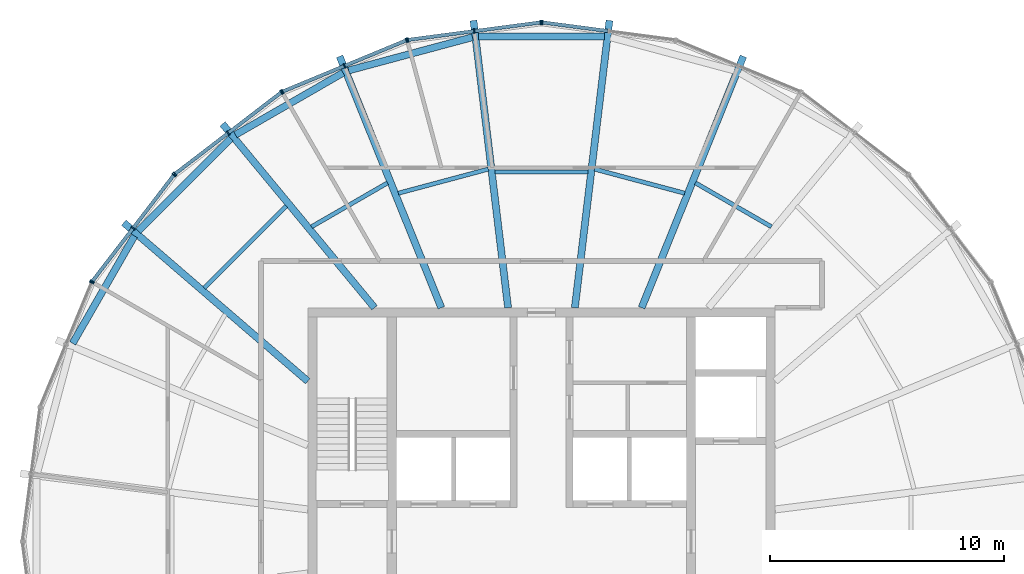
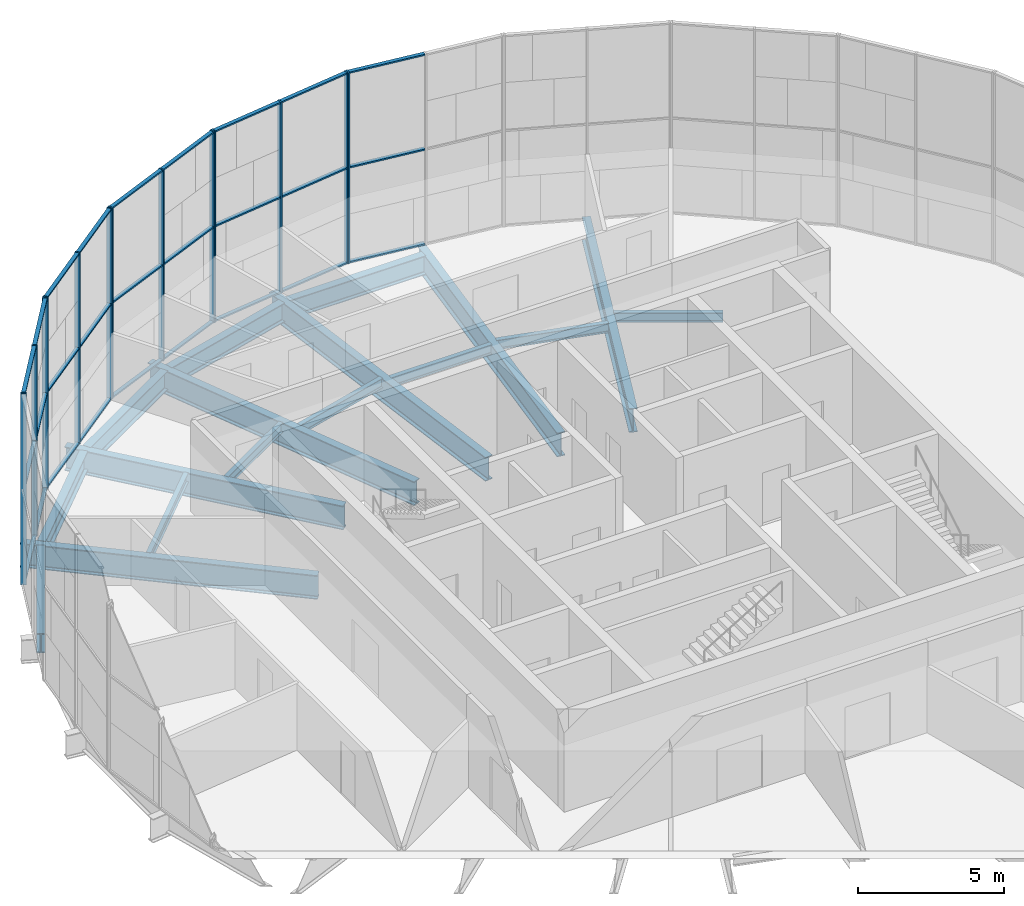
# One storey, part 6 of 19: 41 members, 17 beams, 6 elements without a shape of their own.
"""IFC4 building model written with IfcOpenShell, lengths in metres."""

from ifc_helpers import new_model, si_unit, direction, frame, origin, origin_2d, place, context, subcontext, project, spatial, rectangle, i_section, extrude, material, material_profile, profile_set, type_object, element, aggregate, save


model = new_model("IFC4")

# Units and contexts
model_context = context("Model", 3, precision=1e-05, world=origin(), true_north=direction((0.0, 1.0)))
body_context = subcontext(model_context, "Body", "Model", "MODEL_VIEW")
ifc_project = project(units=[si_unit("LENGTHUNIT", "METRE"), si_unit("AREAUNIT", "SQUARE_METRE"), si_unit("VOLUMEUNIT", "CUBIC_METRE"), si_unit("PLANEANGLEUNIT", "RADIAN"), si_unit("MASSUNIT", "GRAM", prefix="KILO")], contexts=[model_context])

# Site, building, storey
site_placement = place(None, origin())
site = spatial("IfcSite", under=ifc_project, at=site_placement, CompositionType="ELEMENT")
building_placement = place(site_placement, origin())
building = spatial("IfcBuilding", under=site, at=building_placement, Name="Golbaran Civic Tower", CompositionType="ELEMENT")
storey_placement = place(building_placement, frame((0.0, 0.0, 256.0)))
storey = spatial("IfcBuildingStorey", under=building, at=storey_placement, Name="L62", CompositionType="ELEMENT", Elevation=256.0)

# Beams
ifc_material_1 = material(Name="Steel S355", Category="steel")
ifc_material_profile_1 = material_profile(ifc_material_1, i_section(OverallWidth=0.300048828125, OverallDepth=0.800048828125, WebThickness=0.017578125, FlangeThickness=0.032958984375, FilletRadius=0.030029296875, at=origin_2d()), Name="HEB 800")
ifc_profile_set_1 = profile_set([ifc_material_profile_1], Name="Steel S355")
beam_type_1 = type_object("IfcBeamType", Name="EDGE BEAM HEB 800", PredefinedType="BEAM", material=ifc_profile_set_1)
beam_1_placement = place(storey_placement, frame((2.6953125, 21.60888671875, -0.60009765625), z_axis=(-1.0, 0.0, 0.0), x_axis=(0.0, -1.0, 0.0)))
element("IfcBeam", 1, at=beam_1_placement, inside=storey, type_object=beam_type_1, Name="Edge beam 82.58 L62", PredefinedType="BEAM", context=body_context, shape_type="SweptSolid", body=[
    extrude(i_section(OverallWidth=0.300048828125, OverallDepth=0.800048828125, WebThickness=0.017578125, FlangeThickness=0.032958984375, FilletRadius=0.030029296875, at=origin_2d()), origin(), (0.0, 0.0, 1.0), 5.390625),
])
beam_2_placement = place(storey_placement, frame((-2.953125, 21.574951171875, -0.60009765625), z_axis=(-0.965784409485, -0.259346244228, 0.0), x_axis=(0.259346244228, -0.965784409485, 0.0)))
element("IfcBeam", 2, at=beam_2_placement, inside=storey, type_object=beam_type_1, Name="Edge beam 97.42 L62", PredefinedType="BEAM", context=body_context, shape_type="SweptSolid", body=[
    extrude(i_section(OverallWidth=0.300048828125, OverallDepth=0.800048828125, WebThickness=0.017578125, FlangeThickness=0.032958984375, FilletRadius=0.030029296875, at=origin_2d()), origin(), (0.0, 0.0, 1.0), 5.486328125),
])
beam_3_placement = place(storey_placement, frame((-8.491943359375, 20.052490234375, -0.60009765625), z_axis=(-0.866418166458, -0.499319097203, 0.0), x_axis=(0.499319097203, -0.866418166458, 0.0)))
element("IfcBeam", 3, at=beam_3_placement, inside=storey, type_object=beam_type_1, Name="Edge beam 112.58 L62", PredefinedType="BEAM", context=body_context, shape_type="SweptSolid", body=[
    extrude(i_section(OverallWidth=0.300048828125, OverallDepth=0.800048828125, WebThickness=0.017578125, FlangeThickness=0.032958984375, FilletRadius=0.030029296875, at=origin_2d()), origin(), (0.0, 0.0, 1.0), 5.310546875),
])
beam_4_placement = place(storey_placement, frame((-13.299560546875, 17.24267578125, -0.60009765625), z_axis=(-0.706714343881, -0.707499000814, 0.0), x_axis=(0.707499000814, -0.706714343881, 0.0)))
element("IfcBeam", 4, at=beam_4_placement, inside=storey, type_object=beam_type_1, Name="Edge beam 127.42 L62", PredefinedType="BEAM", context=body_context, shape_type="SweptSolid", body=[
    extrude(i_section(OverallWidth=0.300048828125, OverallDepth=0.800048828125, WebThickness=0.017578125, FlangeThickness=0.032958984375, FilletRadius=0.030029296875, at=origin_2d()), origin(), (0.0, 0.0, 1.0), 5.6005859375),
])
beam_5_placement = place(storey_placement, frame((-17.41552734375, 13.0732421875, -0.60009765625), z_axis=(-0.498581864812, -0.866842617827, 0.0), x_axis=(0.866842617827, -0.498581864812, 0.0)))
element("IfcBeam", 5, at=beam_5_placement, inside=storey, type_object=beam_type_1, Name="Edge beam 142.58 L62", PredefinedType="BEAM", context=body_context, shape_type="SweptSolid", body=[
    extrude(i_section(OverallWidth=0.300048828125, OverallDepth=0.800048828125, WebThickness=0.017578125, FlangeThickness=0.032958984375, FilletRadius=0.030029296875, at=origin_2d()), origin(), (0.0, 0.0, 1.0), 5.3017578125),
])
ifc_material_profile_2 = material_profile(ifc_material_1, i_section(OverallWidth=0.179931640625, OverallDepth=0.39990234375, WebThickness=0.008544921875, FlangeThickness=0.013427734375, FilletRadius=0.02099609375, at=origin_2d()), Name="IPE 400")
ifc_profile_set_2 = profile_set([ifc_material_profile_2], Name="Steel S355")
beam_type_2 = type_object("IfcBeamType", Name="FLOOR INFILL BEAM IPE 400", PredefinedType="BEAM", material=ifc_profile_set_2)
beam_6_placement = place(storey_placement, frame((9.8388671875, 13.465087890625, -0.39990234375), z_axis=(-0.86603400694, 0.499985098601, 0.0), x_axis=(-0.499985098601, -0.86603400694, 0.0)))
element("IfcBeam", 6, at=beam_6_placement, inside=storey, type_object=beam_type_2, Name="Infill beam 60.00 L62", PredefinedType="BEAM", context=body_context, shape_type="SweptSolid", body=[
    extrude(i_section(OverallWidth=0.179931640625, OverallDepth=0.39990234375, WebThickness=0.008544921875, FlangeThickness=0.013427734375, FilletRadius=0.02099609375, at=origin_2d()), origin(), (0.0, 0.0, 1.0), 3.7548828125),
])
beam_7_placement = place(storey_placement, frame((6.127197265625, 14.8994140625, -0.39990234375), z_axis=(-0.965915270018, 0.25885843843, 0.0), x_axis=(-0.25885843843, -0.965915270018, 0.0)))
element("IfcBeam", 7, at=beam_7_placement, inside=storey, type_object=beam_type_2, Name="Infill beam 75.00 L62", PredefinedType="BEAM", context=body_context, shape_type="SweptSolid", body=[
    extrude(i_section(OverallWidth=0.179931640625, OverallDepth=0.39990234375, WebThickness=0.008544921875, FlangeThickness=0.013427734375, FilletRadius=0.02099609375, at=origin_2d()), origin(), (0.0, 0.0, 1.0), 3.989501953125),
])
beam_8_placement = place(storey_placement, frame((1.99658203125, 15.804443359375, -0.39990234375), z_axis=(-1.0, 0.0, 0.0), x_axis=(0.0, -1.0, 0.0)))
element("IfcBeam", 8, at=beam_8_placement, inside=storey, type_object=beam_type_2, Name="Infill beam 90.00 L62", PredefinedType="BEAM", context=body_context, shape_type="SweptSolid", body=[
    extrude(i_section(OverallWidth=0.179931640625, OverallDepth=0.39990234375, WebThickness=0.008544921875, FlangeThickness=0.013427734375, FilletRadius=0.02099609375, at=origin_2d()), origin(), (0.0, 0.0, 1.0), 3.9931640625),
])
beam_9_placement = place(storey_placement, frame((-2.273681640625, 15.93212890625, -0.39990234375), z_axis=(-0.965915270018, -0.25885843843, 0.0), x_axis=(0.25885843843, -0.965915270018, 0.0)))
element("IfcBeam", 9, at=beam_9_placement, inside=storey, type_object=beam_type_2, Name="Infill beam 105.00 L62", PredefinedType="BEAM", context=body_context, shape_type="SweptSolid", body=[
    extrude(i_section(OverallWidth=0.179931640625, OverallDepth=0.39990234375, WebThickness=0.008544921875, FlangeThickness=0.013427734375, FilletRadius=0.02099609375, at=origin_2d()), origin(), (0.0, 0.0, 1.0), 3.989501953125),
])
beam_10_placement = place(storey_placement, frame((-6.5869140625, 15.342529296875, -0.39990234375), z_axis=(-0.86603400694, -0.499985098601, 0.0), x_axis=(0.499985098601, -0.86603400694, 0.0)))
element("IfcBeam", 10, at=beam_10_placement, inside=storey, type_object=beam_type_2, Name="Infill beam 120.00 L62", PredefinedType="BEAM", context=body_context, shape_type="SweptSolid", body=[
    extrude(i_section(OverallWidth=0.179931640625, OverallDepth=0.39990234375, WebThickness=0.008544921875, FlangeThickness=0.013427734375, FilletRadius=0.02099609375, at=origin_2d()), origin(), (0.0, 0.0, 1.0), 3.7548828125),
])
beam_11_placement = place(storey_placement, frame((-10.913330078125, 14.356689453125, -0.39990234375), z_axis=(-0.707106781187, -0.707106781187, 0.0), x_axis=(0.707106781187, -0.707106781187, 0.0)))
element("IfcBeam", 11, at=beam_11_placement, inside=storey, type_object=beam_type_2, Name="Infill beam 135.00 L62", PredefinedType="BEAM", context=body_context, shape_type="SweptSolid", body=[
    extrude(i_section(OverallWidth=0.179931640625, OverallDepth=0.39990234375, WebThickness=0.008544921875, FlangeThickness=0.013427734375, FilletRadius=0.02099609375, at=origin_2d()), origin(), (0.0, 0.0, 1.0), 4.9697265625),
])

# Curtain wall, member
ifc_material_2 = material(Name="Aluminium and glass", Category="aluminium")
curtain_wall_type = type_object("IfcCurtainWallType", Name="INNER SKIN CURTAIN WALL EXECUTIVE", PredefinedType="NOTDEFINED", material=ifc_material_2)
curtain_wall_1_placement = place(storey_placement, origin())
curtain_wall_1 = element("IfcCurtainWall", 12, at=curtain_wall_1_placement, inside=storey, type_object=curtain_wall_type, Name="Inner skin L62 facet 6 CW2", ObjectType="INNER SKIN", PredefinedType="USERDEFINED")
ifc_material_3 = material(Name="Aluminium", Category="aluminium")
ifc_material_profile_3 = material_profile(ifc_material_3, rectangle(XDim=0.199951171875, YDim=0.06005859375, at=origin_2d()), Name="INNER SKIN CURTAIN WALL EXECUTIVE MULLION")
ifc_profile_set_3 = profile_set([ifc_material_profile_3], Name="Aluminium")
member_type_1 = type_object("IfcMemberType", Name="INNER SKIN CURTAIN WALL EXECUTIVE MULLION", PredefinedType="MULLION", material=ifc_profile_set_3)
member_1_placement = place(storey_placement, frame((0.02978515625, 22.208984375, 0.0), z_axis=(0.0, 0.0, 1.0), x_axis=(-0.130526192272, -0.991444861367, 0.0)))
member_1 = element("IfcMember", 13, at=member_1_placement, type_object=member_type_1, Name="CW2 mullion 3", PredefinedType="MULLION", context=body_context, shape_type="SweptSolid", body=[
    extrude(rectangle(XDim=0.199951171875, YDim=0.06005859375, at=origin_2d()), origin(), (0.0, 0.0, 1.0), 8.0),
])

# Curtain wall, members
curtain_wall_2_placement = place(storey_placement, origin())
curtain_wall_2 = element("IfcCurtainWall", 14, at=curtain_wall_2_placement, inside=storey, type_object=curtain_wall_type, Name="Inner skin L62 facet 7 CW2", ObjectType="INNER SKIN", PredefinedType="USERDEFINED")
member_2_placement = place(storey_placement, frame((-0.02978515625, 22.208984375, 0.0), z_axis=(0.0, 0.0, 1.0), x_axis=(0.130526192272, -0.991444861367, 0.0)))
member_2 = element("IfcMember", 15, at=member_2_placement, type_object=member_type_1, Name="CW2 mullion 1", PredefinedType="MULLION", context=body_context, shape_type="SweptSolid", body=[
    extrude(rectangle(XDim=0.199951171875, YDim=0.06005859375, at=origin_2d()), origin(), (0.0, 0.0, 1.0), 8.0),
])
member_3_placement = place(storey_placement, frame((-2.87451171875, 21.83447265625, 0.0), z_axis=(0.0, 0.0, 1.0), x_axis=(0.130526192272, -0.991444861367, 0.0)))
member_3 = element("IfcMember", 16, at=member_3_placement, type_object=member_type_1, Name="CW2 mullion 2", PredefinedType="MULLION", context=body_context, shape_type="SweptSolid", body=[
    extrude(rectangle(XDim=0.199951171875, YDim=0.06005859375, at=origin_2d()), origin(), (0.0, 0.0, 1.0), 8.0),
])
member_4_placement = place(storey_placement, frame((-5.719482421875, 21.4599609375, 0.0), z_axis=(0.0, 0.0, 1.0), x_axis=(0.130526192272, -0.991444861367, 0.0)))
member_4 = element("IfcMember", 17, at=member_4_placement, type_object=member_type_1, Name="CW2 mullion 3", PredefinedType="MULLION", context=body_context, shape_type="SweptSolid", body=[
    extrude(rectangle(XDim=0.199951171875, YDim=0.06005859375, at=origin_2d()), origin(), (0.0, 0.0, 1.0), 8.0),
])

curtain_wall_3_placement = place(storey_placement, origin())
curtain_wall_3 = element("IfcCurtainWall", 18, at=curtain_wall_3_placement, inside=storey, type_object=curtain_wall_type, Name="Inner skin L62 facet 8 CW2", ObjectType="INNER SKIN", PredefinedType="USERDEFINED")
member_5_placement = place(storey_placement, frame((-5.77685546875, 21.444580078125, 0.0), z_axis=(0.0, 0.0, 1.0), x_axis=(0.382683432365, -0.923879532511, 0.0)))
member_5 = element("IfcMember", 19, at=member_5_placement, type_object=member_type_1, Name="CW2 mullion 1", PredefinedType="MULLION", context=body_context, shape_type="SweptSolid", body=[
    extrude(rectangle(XDim=0.199951171875, YDim=0.06005859375, at=origin_2d()), origin(), (0.0, 0.0, 1.0), 8.0),
])
member_6_placement = place(storey_placement, frame((-8.427734375, 20.3466796875, 0.0), z_axis=(0.0, 0.0, 1.0), x_axis=(0.382683432365, -0.923879532511, 0.0)))
member_6 = element("IfcMember", 20, at=member_6_placement, type_object=member_type_1, Name="CW2 mullion 2", PredefinedType="MULLION", context=body_context, shape_type="SweptSolid", body=[
    extrude(rectangle(XDim=0.199951171875, YDim=0.06005859375, at=origin_2d()), origin(), (0.0, 0.0, 1.0), 8.0),
])
member_7_placement = place(storey_placement, frame((-11.078857421875, 19.24853515625, 0.0), z_axis=(0.0, 0.0, 1.0), x_axis=(0.382683432365, -0.923879532511, 0.0)))
member_7 = element("IfcMember", 21, at=member_7_placement, type_object=member_type_1, Name="CW2 mullion 3", PredefinedType="MULLION", context=body_context, shape_type="SweptSolid", body=[
    extrude(rectangle(XDim=0.199951171875, YDim=0.06005859375, at=origin_2d()), origin(), (0.0, 0.0, 1.0), 8.0),
])

curtain_wall_4_placement = place(storey_placement, origin())
curtain_wall_4 = element("IfcCurtainWall", 22, at=curtain_wall_4_placement, inside=storey, type_object=curtain_wall_type, Name="Inner skin L62 facet 9 CW2", ObjectType="INNER SKIN", PredefinedType="USERDEFINED")
member_8_placement = place(storey_placement, frame((-11.13037109375, 19.21875, 0.0), z_axis=(0.0, 0.0, 1.0), x_axis=(0.608761429078, -0.793353340238, 0.0)))
member_8 = element("IfcMember", 23, at=member_8_placement, type_object=member_type_1, Name="CW2 mullion 1", PredefinedType="MULLION", context=body_context, shape_type="SweptSolid", body=[
    extrude(rectangle(XDim=0.199951171875, YDim=0.06005859375, at=origin_2d()), origin(), (0.0, 0.0, 1.0), 8.0),
])
member_9_placement = place(storey_placement, frame((-13.40673828125, 17.471923828125, 0.0), z_axis=(0.0, 0.0, 1.0), x_axis=(0.608761429078, -0.793353340238, 0.0)))
member_9 = element("IfcMember", 24, at=member_9_placement, type_object=member_type_1, Name="CW2 mullion 2", PredefinedType="MULLION", context=body_context, shape_type="SweptSolid", body=[
    extrude(rectangle(XDim=0.199951171875, YDim=0.06005859375, at=origin_2d()), origin(), (0.0, 0.0, 1.0), 8.0),
])
member_10_placement = place(storey_placement, frame((-15.68310546875, 15.725341796875, 0.0), z_axis=(0.0, 0.0, 1.0), x_axis=(0.608761429078, -0.793353340238, 0.0)))
member_10 = element("IfcMember", 25, at=member_10_placement, type_object=member_type_1, Name="CW2 mullion 3", PredefinedType="MULLION", context=body_context, shape_type="SweptSolid", body=[
    extrude(rectangle(XDim=0.199951171875, YDim=0.06005859375, at=origin_2d()), origin(), (0.0, 0.0, 1.0), 8.0),
])

curtain_wall_5_placement = place(storey_placement, origin())
curtain_wall_5 = element("IfcCurtainWall", 26, at=curtain_wall_5_placement, inside=storey, type_object=curtain_wall_type, Name="Inner skin L62 facet 10 CW2", ObjectType="INNER SKIN", PredefinedType="USERDEFINED")
member_11_placement = place(storey_placement, frame((-15.725341796875, 15.68310546875, 0.0), z_axis=(0.0, 0.0, 1.0), x_axis=(0.793353340238, -0.608761429078, 0.0)))
member_11 = element("IfcMember", 27, at=member_11_placement, type_object=member_type_1, Name="CW2 mullion 1", PredefinedType="MULLION", context=body_context, shape_type="SweptSolid", body=[
    extrude(rectangle(XDim=0.199951171875, YDim=0.06005859375, at=origin_2d()), origin(), (0.0, 0.0, 1.0), 8.0),
])
member_12_placement = place(storey_placement, frame((-17.471923828125, 13.40673828125, 0.0), z_axis=(0.0, 0.0, 1.0), x_axis=(0.793353340238, -0.608761429078, 0.0)))
member_12 = element("IfcMember", 28, at=member_12_placement, type_object=member_type_1, Name="CW2 mullion 2", PredefinedType="MULLION", context=body_context, shape_type="SweptSolid", body=[
    extrude(rectangle(XDim=0.199951171875, YDim=0.06005859375, at=origin_2d()), origin(), (0.0, 0.0, 1.0), 8.0),
])
member_13_placement = place(storey_placement, frame((-19.21875, 11.13037109375, 0.0), z_axis=(0.0, 0.0, 1.0), x_axis=(0.793353340238, -0.608761429078, 0.0)))
member_13 = element("IfcMember", 29, at=member_13_placement, type_object=member_type_1, Name="CW2 mullion 3", PredefinedType="MULLION", context=body_context, shape_type="SweptSolid", body=[
    extrude(rectangle(XDim=0.199951171875, YDim=0.06005859375, at=origin_2d()), origin(), (0.0, 0.0, 1.0), 8.0),
])

# Curtain wall, member
curtain_wall_6_placement = place(storey_placement, origin())
curtain_wall_6 = element("IfcCurtainWall", 30, at=curtain_wall_6_placement, inside=storey, type_object=curtain_wall_type, Name="Inner skin L62 facet 11 CW2", ObjectType="INNER SKIN", PredefinedType="USERDEFINED")
member_14_placement = place(storey_placement, frame((-19.24853515625, 11.078857421875, 0.0), z_axis=(0.0, 0.0, 1.0), x_axis=(0.923879532511, -0.382683432365, 0.0)))
member_14 = element("IfcMember", 31, at=member_14_placement, type_object=member_type_1, Name="CW2 mullion 1", PredefinedType="MULLION", context=body_context, shape_type="SweptSolid", body=[
    extrude(rectangle(XDim=0.199951171875, YDim=0.06005859375, at=origin_2d()), origin(), (0.0, 0.0, 1.0), 8.0),
])
aggregate(curtain_wall_6, [member_14])

# Member
ifc_material_profile_4 = material_profile(ifc_material_3, rectangle(XDim=0.14990234375, YDim=0.06005859375, at=origin_2d()), Name="INNER SKIN CURTAIN WALL EXECUTIVE TRANSOM")
ifc_profile_set_4 = profile_set([ifc_material_profile_4], Name="Aluminium")
member_type_2 = type_object("IfcMemberType", Name="INNER SKIN CURTAIN WALL EXECUTIVE TRANSOM", PredefinedType="USERDEFINED", material=ifc_profile_set_4)
member_15_placement = place(storey_placement, frame((2.8447265625, 21.83837890625, 0.030029296875), z_axis=(-0.991443643229, 0.130535444612, 0.0), x_axis=(-0.130535444612, -0.991443643229, 0.0)))
member_15 = element("IfcMember", 32, at=member_15_placement, type_object=member_type_2, Name="CW2 transom 2.1", ObjectType="TRANSOM", PredefinedType="USERDEFINED", context=body_context, shape_type="SweptSolid", body=[
    extrude(rectangle(XDim=0.14990234375, YDim=0.06005859375, at=origin_2d()), origin(), (0.0, 0.0, 1.0), 2.80908203125),
])

member_16_placement = place(storey_placement, frame((2.8447265625, 21.83837890625, 4.0), z_axis=(-0.991443643229, 0.130535444612, 0.0), x_axis=(-0.130535444612, -0.991443643229, 0.0)))
member_16 = element("IfcMember", 33, at=member_16_placement, type_object=member_type_2, Name="CW2 transom 2.2", ObjectType="TRANSOM", PredefinedType="USERDEFINED", context=body_context, shape_type="SweptSolid", body=[
    extrude(rectangle(XDim=0.14990234375, YDim=0.06005859375, at=origin_2d()), origin(), (0.0, 0.0, 1.0), 2.80908203125),
])

member_17_placement = place(storey_placement, frame((2.8447265625, 21.83837890625, 7.969970703125), z_axis=(-0.991443643229, 0.130535444612, 0.0), x_axis=(-0.130535444612, -0.991443643229, 0.0)))
member_17 = element("IfcMember", 34, at=member_17_placement, type_object=member_type_2, Name="CW2 transom 2.3", ObjectType="TRANSOM", PredefinedType="USERDEFINED", context=body_context, shape_type="SweptSolid", body=[
    extrude(rectangle(XDim=0.14990234375, YDim=0.06005859375, at=origin_2d()), origin(), (0.0, 0.0, 1.0), 2.80908203125),
])

aggregate(curtain_wall_1, [member_1, member_15, member_16, member_17])

member_18_placement = place(storey_placement, frame((-0.0595703125, 22.205078125, 0.030029296875), z_axis=(-0.991443643229, -0.130535444612, 0.0), x_axis=(0.130535444612, -0.991443643229, 0.0)))
member_18 = element("IfcMember", 35, at=member_18_placement, type_object=member_type_2, Name="CW2 transom 1.1", ObjectType="TRANSOM", PredefinedType="USERDEFINED", context=body_context, shape_type="SweptSolid", body=[
    extrude(rectangle(XDim=0.14990234375, YDim=0.06005859375, at=origin_2d()), origin(), (0.0, 0.0, 1.0), 2.80908203125),
])

member_19_placement = place(storey_placement, frame((-0.0595703125, 22.205078125, 4.0), z_axis=(-0.991443643229, -0.130535444612, 0.0), x_axis=(0.130535444612, -0.991443643229, 0.0)))
member_19 = element("IfcMember", 36, at=member_19_placement, type_object=member_type_2, Name="CW2 transom 1.2", ObjectType="TRANSOM", PredefinedType="USERDEFINED", context=body_context, shape_type="SweptSolid", body=[
    extrude(rectangle(XDim=0.14990234375, YDim=0.06005859375, at=origin_2d()), origin(), (0.0, 0.0, 1.0), 2.80908203125),
])

member_20_placement = place(storey_placement, frame((-0.0595703125, 22.205078125, 7.969970703125), z_axis=(-0.991443643229, -0.130535444612, 0.0), x_axis=(0.130535444612, -0.991443643229, 0.0)))
member_20 = element("IfcMember", 37, at=member_20_placement, type_object=member_type_2, Name="CW2 transom 1.3", ObjectType="TRANSOM", PredefinedType="USERDEFINED", context=body_context, shape_type="SweptSolid", body=[
    extrude(rectangle(XDim=0.14990234375, YDim=0.06005859375, at=origin_2d()), origin(), (0.0, 0.0, 1.0), 2.80908203125),
])

member_21_placement = place(storey_placement, frame((-2.904296875, 21.83056640625, 0.030029296875), z_axis=(-0.991445123903, -0.130524198098, 0.0), x_axis=(0.130524198098, -0.991445123903, 0.0)))
member_21 = element("IfcMember", 38, at=member_21_placement, type_object=member_type_2, Name="CW2 transom 2.1", ObjectType="TRANSOM", PredefinedType="USERDEFINED", context=body_context, shape_type="SweptSolid", body=[
    extrude(rectangle(XDim=0.14990234375, YDim=0.06005859375, at=origin_2d()), origin(), (0.0, 0.0, 1.0), 2.809326171875),
])

member_22_placement = place(storey_placement, frame((-2.904296875, 21.83056640625, 4.0), z_axis=(-0.991445123903, -0.130524198098, 0.0), x_axis=(0.130524198098, -0.991445123903, 0.0)))
member_22 = element("IfcMember", 39, at=member_22_placement, type_object=member_type_2, Name="CW2 transom 2.2", ObjectType="TRANSOM", PredefinedType="USERDEFINED", context=body_context, shape_type="SweptSolid", body=[
    extrude(rectangle(XDim=0.14990234375, YDim=0.06005859375, at=origin_2d()), origin(), (0.0, 0.0, 1.0), 2.809326171875),
])

member_23_placement = place(storey_placement, frame((-2.904296875, 21.83056640625, 7.969970703125), z_axis=(-0.991445123903, -0.130524198098, 0.0), x_axis=(0.130524198098, -0.991445123903, 0.0)))
member_23 = element("IfcMember", 40, at=member_23_placement, type_object=member_type_2, Name="CW2 transom 2.3", ObjectType="TRANSOM", PredefinedType="USERDEFINED", context=body_context, shape_type="SweptSolid", body=[
    extrude(rectangle(XDim=0.14990234375, YDim=0.06005859375, at=origin_2d()), origin(), (0.0, 0.0, 1.0), 2.809326171875),
])

aggregate(curtain_wall_2, [member_2, member_3, member_4, member_18, member_19, member_20, member_21, member_22, member_23])

member_24_placement = place(storey_placement, frame((-5.8046875, 21.43310546875, 0.030029296875), z_axis=(-0.923895029293, -0.382646017682, 0.0), x_axis=(0.382646017682, -0.923895029293, 0.0)))
member_24 = element("IfcMember", 41, at=member_24_placement, type_object=member_type_2, Name="CW2 transom 1.1", ObjectType="TRANSOM", PredefinedType="USERDEFINED", context=body_context, shape_type="SweptSolid", body=[
    extrude(rectangle(XDim=0.14990234375, YDim=0.06005859375, at=origin_2d()), origin(), (0.0, 0.0, 1.0), 2.809326171875),
])

member_25_placement = place(storey_placement, frame((-5.8046875, 21.43310546875, 4.0), z_axis=(-0.923895029293, -0.382646017682, 0.0), x_axis=(0.382646017682, -0.923895029293, 0.0)))
member_25 = element("IfcMember", 42, at=member_25_placement, type_object=member_type_2, Name="CW2 transom 1.2", ObjectType="TRANSOM", PredefinedType="USERDEFINED", context=body_context, shape_type="SweptSolid", body=[
    extrude(rectangle(XDim=0.14990234375, YDim=0.06005859375, at=origin_2d()), origin(), (0.0, 0.0, 1.0), 2.809326171875),
])

member_26_placement = place(storey_placement, frame((-5.8046875, 21.43310546875, 7.969970703125), z_axis=(-0.923895029293, -0.382646017682, 0.0), x_axis=(0.382646017682, -0.923895029293, 0.0)))
member_26 = element("IfcMember", 43, at=member_26_placement, type_object=member_type_2, Name="CW2 transom 1.3", ObjectType="TRANSOM", PredefinedType="USERDEFINED", context=body_context, shape_type="SweptSolid", body=[
    extrude(rectangle(XDim=0.14990234375, YDim=0.06005859375, at=origin_2d()), origin(), (0.0, 0.0, 1.0), 2.809326171875),
])

member_27_placement = place(storey_placement, frame((-8.45556640625, 20.335205078125, 0.030029296875), z_axis=(-0.923864304003, -0.382720195168, 0.0), x_axis=(0.382720195168, -0.923864304003, 0.0)))
member_27 = element("IfcMember", 44, at=member_27_placement, type_object=member_type_2, Name="CW2 transom 2.1", ObjectType="TRANSOM", PredefinedType="USERDEFINED", context=body_context, shape_type="SweptSolid", body=[
    extrude(rectangle(XDim=0.14990234375, YDim=0.06005859375, at=origin_2d()), origin(), (0.0, 0.0, 1.0), 2.809326171875),
])

member_28_placement = place(storey_placement, frame((-8.45556640625, 20.335205078125, 4.0), z_axis=(-0.923864304003, -0.382720195168, 0.0), x_axis=(0.382720195168, -0.923864304003, 0.0)))
member_28 = element("IfcMember", 45, at=member_28_placement, type_object=member_type_2, Name="CW2 transom 2.2", ObjectType="TRANSOM", PredefinedType="USERDEFINED", context=body_context, shape_type="SweptSolid", body=[
    extrude(rectangle(XDim=0.14990234375, YDim=0.06005859375, at=origin_2d()), origin(), (0.0, 0.0, 1.0), 2.809326171875),
])

member_29_placement = place(storey_placement, frame((-8.45556640625, 20.335205078125, 7.969970703125), z_axis=(-0.923864304003, -0.382720195168, 0.0), x_axis=(0.382720195168, -0.923864304003, 0.0)))
member_29 = element("IfcMember", 46, at=member_29_placement, type_object=member_type_2, Name="CW2 transom 2.3", ObjectType="TRANSOM", PredefinedType="USERDEFINED", context=body_context, shape_type="SweptSolid", body=[
    extrude(rectangle(XDim=0.14990234375, YDim=0.06005859375, at=origin_2d()), origin(), (0.0, 0.0, 1.0), 2.809326171875),
])

aggregate(curtain_wall_3, [member_5, member_6, member_7, member_24, member_25, member_26, member_27, member_28, member_29])

member_30_placement = place(storey_placement, frame((-11.154052734375, 19.200439453125, 0.030029296875), z_axis=(-0.793350321401, -0.608765363283, 0.0), x_axis=(0.608765363283, -0.793350321401, 0.0)))
member_30 = element("IfcMember", 47, at=member_30_placement, type_object=member_type_2, Name="CW2 transom 1.1", ObjectType="TRANSOM", PredefinedType="USERDEFINED", context=body_context, shape_type="SweptSolid", body=[
    extrude(rectangle(XDim=0.14990234375, YDim=0.06005859375, at=origin_2d()), origin(), (0.0, 0.0, 1.0), 2.809326171875),
])

member_31_placement = place(storey_placement, frame((-11.154052734375, 19.200439453125, 4.0), z_axis=(-0.793350321401, -0.608765363283, 0.0), x_axis=(0.608765363283, -0.793350321401, 0.0)))
member_31 = element("IfcMember", 48, at=member_31_placement, type_object=member_type_2, Name="CW2 transom 1.2", ObjectType="TRANSOM", PredefinedType="USERDEFINED", context=body_context, shape_type="SweptSolid", body=[
    extrude(rectangle(XDim=0.14990234375, YDim=0.06005859375, at=origin_2d()), origin(), (0.0, 0.0, 1.0), 2.809326171875),
])

member_32_placement = place(storey_placement, frame((-11.154052734375, 19.200439453125, 7.969970703125), z_axis=(-0.793350321401, -0.608765363283, 0.0), x_axis=(0.608765363283, -0.793350321401, 0.0)))
member_32 = element("IfcMember", 49, at=member_32_placement, type_object=member_type_2, Name="CW2 transom 1.3", ObjectType="TRANSOM", PredefinedType="USERDEFINED", context=body_context, shape_type="SweptSolid", body=[
    extrude(rectangle(XDim=0.14990234375, YDim=0.06005859375, at=origin_2d()), origin(), (0.0, 0.0, 1.0), 2.809326171875),
])

member_33_placement = place(storey_placement, frame((-13.430419921875, 17.45361328125, 0.030029296875), z_axis=(-0.793382524432, -0.608723393608, 0.0), x_axis=(0.608723393608, -0.793382524432, 0.0)))
member_33 = element("IfcMember", 50, at=member_33_placement, type_object=member_type_2, Name="CW2 transom 2.1", ObjectType="TRANSOM", PredefinedType="USERDEFINED", context=body_context, shape_type="SweptSolid", body=[
    extrude(rectangle(XDim=0.14990234375, YDim=0.06005859375, at=origin_2d()), origin(), (0.0, 0.0, 1.0), 2.8095703125),
])

member_34_placement = place(storey_placement, frame((-13.430419921875, 17.45361328125, 4.0), z_axis=(-0.793382524432, -0.608723393608, 0.0), x_axis=(0.608723393608, -0.793382524432, 0.0)))
member_34 = element("IfcMember", 51, at=member_34_placement, type_object=member_type_2, Name="CW2 transom 2.2", ObjectType="TRANSOM", PredefinedType="USERDEFINED", context=body_context, shape_type="SweptSolid", body=[
    extrude(rectangle(XDim=0.14990234375, YDim=0.06005859375, at=origin_2d()), origin(), (0.0, 0.0, 1.0), 2.8095703125),
])

member_35_placement = place(storey_placement, frame((-13.430419921875, 17.45361328125, 7.969970703125), z_axis=(-0.793382524432, -0.608723393608, 0.0), x_axis=(0.608723393608, -0.793382524432, 0.0)))
member_35 = element("IfcMember", 52, at=member_35_placement, type_object=member_type_2, Name="CW2 transom 2.3", ObjectType="TRANSOM", PredefinedType="USERDEFINED", context=body_context, shape_type="SweptSolid", body=[
    extrude(rectangle(XDim=0.14990234375, YDim=0.06005859375, at=origin_2d()), origin(), (0.0, 0.0, 1.0), 2.8095703125),
])

aggregate(curtain_wall_4, [member_8, member_9, member_10, member_30, member_31, member_32, member_33, member_34, member_35])

member_36_placement = place(storey_placement, frame((-15.743408203125, 15.659423828125, 0.030029296875), z_axis=(-0.608723393608, -0.793382524432, 0.0), x_axis=(0.793382524432, -0.608723393608, 0.0)))
member_36 = element("IfcMember", 53, at=member_36_placement, type_object=member_type_2, Name="CW2 transom 1.1", ObjectType="TRANSOM", PredefinedType="USERDEFINED", context=body_context, shape_type="SweptSolid", body=[
    extrude(rectangle(XDim=0.14990234375, YDim=0.06005859375, at=origin_2d()), origin(), (0.0, 0.0, 1.0), 2.8095703125),
])

member_37_placement = place(storey_placement, frame((-15.743408203125, 15.659423828125, 4.0), z_axis=(-0.608723393608, -0.793382524432, 0.0), x_axis=(0.793382524432, -0.608723393608, 0.0)))
member_37 = element("IfcMember", 54, at=member_37_placement, type_object=member_type_2, Name="CW2 transom 1.2", ObjectType="TRANSOM", PredefinedType="USERDEFINED", context=body_context, shape_type="SweptSolid", body=[
    extrude(rectangle(XDim=0.14990234375, YDim=0.06005859375, at=origin_2d()), origin(), (0.0, 0.0, 1.0), 2.8095703125),
])

member_38_placement = place(storey_placement, frame((-15.743408203125, 15.659423828125, 7.969970703125), z_axis=(-0.608723393608, -0.793382524432, 0.0), x_axis=(0.793382524432, -0.608723393608, 0.0)))
member_38 = element("IfcMember", 55, at=member_38_placement, type_object=member_type_2, Name="CW2 transom 1.3", ObjectType="TRANSOM", PredefinedType="USERDEFINED", context=body_context, shape_type="SweptSolid", body=[
    extrude(rectangle(XDim=0.14990234375, YDim=0.06005859375, at=origin_2d()), origin(), (0.0, 0.0, 1.0), 2.8095703125),
])

member_39_placement = place(storey_placement, frame((-17.490234375, 13.3828125, 0.030029296875), z_axis=(-0.608765363283, -0.793350321401, 0.0), x_axis=(0.793350321401, -0.608765363283, 0.0)))
member_39 = element("IfcMember", 56, at=member_39_placement, type_object=member_type_2, Name="CW2 transom 2.1", ObjectType="TRANSOM", PredefinedType="USERDEFINED", context=body_context, shape_type="SweptSolid", body=[
    extrude(rectangle(XDim=0.14990234375, YDim=0.06005859375, at=origin_2d()), origin(), (0.0, 0.0, 1.0), 2.809326171875),
])

member_40_placement = place(storey_placement, frame((-17.490234375, 13.3828125, 4.0), z_axis=(-0.608765363283, -0.793350321401, 0.0), x_axis=(0.793350321401, -0.608765363283, 0.0)))
member_40 = element("IfcMember", 57, at=member_40_placement, type_object=member_type_2, Name="CW2 transom 2.2", ObjectType="TRANSOM", PredefinedType="USERDEFINED", context=body_context, shape_type="SweptSolid", body=[
    extrude(rectangle(XDim=0.14990234375, YDim=0.06005859375, at=origin_2d()), origin(), (0.0, 0.0, 1.0), 2.809326171875),
])

member_41_placement = place(storey_placement, frame((-17.490234375, 13.3828125, 7.969970703125), z_axis=(-0.608765363283, -0.793350321401, 0.0), x_axis=(0.793350321401, -0.608765363283, 0.0)))
member_41 = element("IfcMember", 58, at=member_41_placement, type_object=member_type_2, Name="CW2 transom 2.3", ObjectType="TRANSOM", PredefinedType="USERDEFINED", context=body_context, shape_type="SweptSolid", body=[
    extrude(rectangle(XDim=0.14990234375, YDim=0.06005859375, at=origin_2d()), origin(), (0.0, 0.0, 1.0), 2.809326171875),
])

aggregate(curtain_wall_5, [member_11, member_12, member_13, member_36, member_37, member_38, member_39, member_40, member_41])

# Beams
ifc_material_profile_5 = material_profile(ifc_material_1, i_section(OverallWidth=0.300048828125, OverallDepth=1.0, WebThickness=0.01904296875, FlangeThickness=0.035888671875, FilletRadius=0.030029296875, at=origin_2d()), Name="HEB 1000")
ifc_profile_set_5 = profile_set([ifc_material_profile_5], Name="Steel S355")
beam_type_3 = type_object("IfcBeamType", Name="RADIAL FLOOR BEAM HEB 1000", PredefinedType="BEAM", material=ifc_profile_set_5)
beam_12_placement = place(storey_placement, frame((4.28564453125, 10.0, -0.7099609375), z_axis=(0.374972341927, 0.927035998648, 0.0), x_axis=(-0.927035998648, 0.374972341927, 0.0)))
element("IfcBeam", 59, at=beam_12_placement, inside=storey, type_object=beam_type_3, Name="Radial beam 67.42 L62", PredefinedType="BEAM", context=body_context, shape_type="SweptSolid", body=[
    extrude(i_section(OverallWidth=0.300048828125, OverallDepth=1.0, WebThickness=0.01904296875, FlangeThickness=0.035888671875, FilletRadius=0.030029296875, at=origin_2d()), origin(), (0.0, 0.0, 1.0), 11.6025390625),
])
for number, where, z_axis, x_axis, name in (
    (60, (1.428466796875, 10.0, -0.7099609375), (0.119545686432, 0.992828700661, 0.0), (-0.992828700661, 0.119545686432, 0.0), "Radial beam 82.58 L62"),
    (61, (-1.428466796875, 10.0, -0.7099609375), (-0.119545686432, 0.992828700661, 0.0), (-0.992828700661, -0.119545686432, 0.0), "Radial beam 97.42 L62"),
):
    element("IfcBeam", number, at=place(storey_placement, frame(where, z_axis=z_axis, x_axis=x_axis)), inside=storey, type_object=beam_type_3, Name=name, PredefinedType="BEAM", context=body_context, shape_type="SweptSolid", body=[
        extrude(i_section(OverallWidth=0.300048828125, OverallDepth=1.0, WebThickness=0.01904296875, FlangeThickness=0.035888671875, FilletRadius=0.030029296875, at=origin_2d()), origin(), (0.0, 0.0, 1.0), 12.380126953125),
    ])
beam_13_placement = place(storey_placement, frame((-4.28564453125, 10.0, -0.7099609375), z_axis=(-0.374972341927, 0.927035998648, 0.0), x_axis=(-0.927035998648, -0.374972341927, 0.0)))
element("IfcBeam", 62, at=beam_13_placement, inside=storey, type_object=beam_type_3, Name="Radial beam 112.58 L62", PredefinedType="BEAM", context=body_context, shape_type="SweptSolid", body=[
    extrude(i_section(OverallWidth=0.300048828125, OverallDepth=1.0, WebThickness=0.01904296875, FlangeThickness=0.035888671875, FilletRadius=0.030029296875, at=origin_2d()), origin(), (0.0, 0.0, 1.0), 11.6025390625),
])
beam_14_placement = place(storey_placement, frame((-7.142822265625, 10.0, -0.7099609375), z_axis=(-0.637203438568, 0.770695645425, 0.0), x_axis=(-0.770695645425, -0.637203438568, 0.0)))
element("IfcBeam", 63, at=beam_14_placement, inside=storey, type_object=beam_type_3, Name="Radial beam 127.42 L62", PredefinedType="BEAM", context=body_context, shape_type="SweptSolid", body=[
    extrude(i_section(OverallWidth=0.300048828125, OverallDepth=1.0, WebThickness=0.01904296875, FlangeThickness=0.035888671875, FilletRadius=0.030029296875, at=origin_2d()), origin(), (0.0, 0.0, 1.0), 10.20703125),
])
beam_15_placement = place(storey_placement, frame((-10.0, 6.857177734375, -0.7099609375), z_axis=(-0.757663917113, 0.65264491778, 0.0), x_axis=(-0.65264491778, -0.757663917113, 0.0)))
element("IfcBeam", 64, at=beam_15_placement, inside=storey, type_object=beam_type_3, Name="Radial beam 142.58 L62", PredefinedType="BEAM", context=body_context, shape_type="SweptSolid", body=[
    extrude(i_section(OverallWidth=0.300048828125, OverallDepth=1.0, WebThickness=0.01904296875, FlangeThickness=0.035888671875, FilletRadius=0.030029296875, at=origin_2d()), origin(), (0.0, 0.0, 1.0), 10.3916015625),
])

save(model, "model.ifc")
